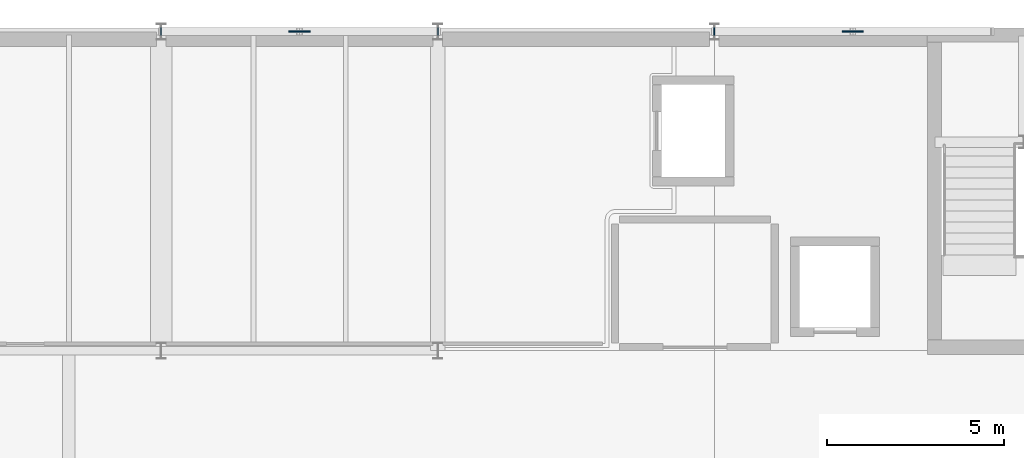
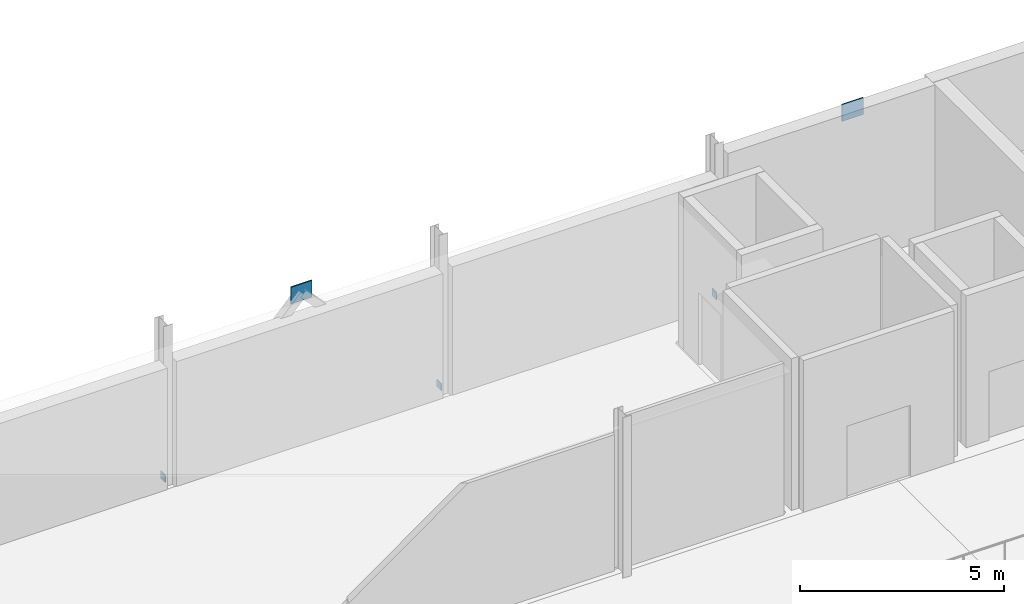
# One storey, part 87 of 102: 5 plates.
"""IFC4 building model written with IfcOpenShell, lengths in metres."""

from ifc_helpers import new_model, si_unit, derived_unit, direction, frame, origin, origin_2d, place, context, subcontext, project, spatial, rectangle, extrude, material, layer, layer_set, type_object, element, save


model = new_model("IFC4")

# Units and contexts
model_context = context("Model", 3, precision=1e-05, world=origin(), true_north=direction((0.0, 1.0)))
body_context = subcontext(model_context, "Body", "Model", "MODEL_VIEW")
ifc_project = project(units=[si_unit("LENGTHUNIT", "METRE"), si_unit("AREAUNIT", "SQUARE_METRE"), si_unit("VOLUMEUNIT", "CUBIC_METRE"), si_unit("PLANEANGLEUNIT", "RADIAN"), si_unit("MASSUNIT", "GRAM", prefix="KILO"), derived_unit("THERMALTRANSMITTANCEUNIT", [(si_unit("POWERUNIT", "WATT"), 1), (si_unit("LENGTHUNIT", "METRE"), -2), (si_unit("THERMODYNAMICTEMPERATUREUNIT", "KELVIN"), -1)])], contexts=[model_context])

# Site, building, storey
site_placement = place(None, origin())
site = spatial("IfcSite", under=ifc_project, at=site_placement, CompositionType="ELEMENT")
building_placement = place(site_placement, origin())
building = spatial("IfcBuilding", under=site, at=building_placement, Name="Nallur Shell Playhouse", CompositionType="ELEMENT")
storey_placement = place(building_placement, frame((0.0, 0.0, 15.0)))
storey = spatial("IfcBuildingStorey", under=building, at=storey_placement, Name="L04", CompositionType="ELEMENT", Elevation=15.0)

# Plates
ifc_material = material(Name="Steel E350", Category="steel")
ifc_layer_1 = layer(ifc_material, 0.02001953125)
ifc_layer_set_1 = layer_set([ifc_layer_1], Name="Steel E350")
plate_type_1 = type_object("IfcPlateType", Name="PT-ENDCAP-20", PredefinedType="SHEET", material=ifc_layer_set_1)
for number, where, z_axis, x_axis, name in (
    (1, (71.793212890625, 83.0, 0.03271484375), (0.0, 0.0, 1.0), (1.0, 0.0, 0.0), "Hollow end cap EC-BR-FT-L04-029-0"),
    (2, (79.60693359375, 83.0, 0.03271484375), (0.0, 0.0, 1.0), (1.0, 0.0, 0.0), "Hollow end cap EC-BR-FT-L04-030-0"),
    (3, (87.39306640625, 83.0, 0.03271484375), (0.0, 0.0, 1.0), (1.0, 0.0, 0.0), "Hollow end cap EC-BR-FT-L04-031-0"),
):
    element("IfcPlate", number, at=place(storey_placement, frame(where, z_axis=z_axis, x_axis=x_axis)), inside=storey, type_object=plate_type_1, Name=name, PredefinedType="SHEET", context=body_context, shape_type="SweptSolid", body=[
        extrude(rectangle(XDim=0.02001953125, YDim=0.219970703125, at=origin_2d()), origin(), (0.0, 0.0, 1.0), 0.219970703125),
    ])
ifc_layer_2 = layer(ifc_material, 0.034912109375)
ifc_layer_set_2 = layer_set([ifc_layer_2], Name="Steel E350")
plate_type_2 = type_object("IfcPlateType", Name="PT-GUSSET-35", PredefinedType="USERDEFINED", material=ifc_layer_set_2)
for number, where, z_axis, x_axis, name in (
    (4, (75.699951171875, 83.0, 4.050048828125), (0.0, 0.0, 1.0), (1.0, 0.0, 0.0), "Fly tower chevron node gusset plate TN-02 (L04)"),
    (5, (91.300048828125, 83.0, 4.050048828125), (0.0, 0.0, 1.0), (1.0, 0.0, 0.0), "Fly tower chevron node gusset plate TN-02 (L04)"),
):
    element("IfcPlate", number, at=place(storey_placement, frame(where, z_axis=z_axis, x_axis=x_axis)), inside=storey, type_object=plate_type_2, Name=name, ObjectType="GUSSET PLATE", PredefinedType="USERDEFINED", context=body_context, shape_type="SweptSolid", body=[
        extrude(rectangle(XDim=0.60009765625, YDim=0.034912109375, at=origin_2d()), origin(), (0.0, 0.0, 1.0), 0.5),
    ])

save(model, "model.ifc")
